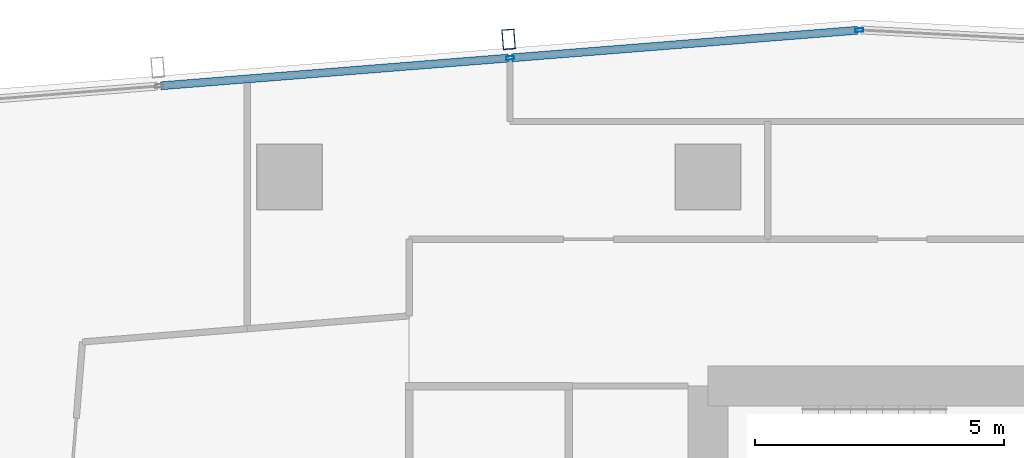
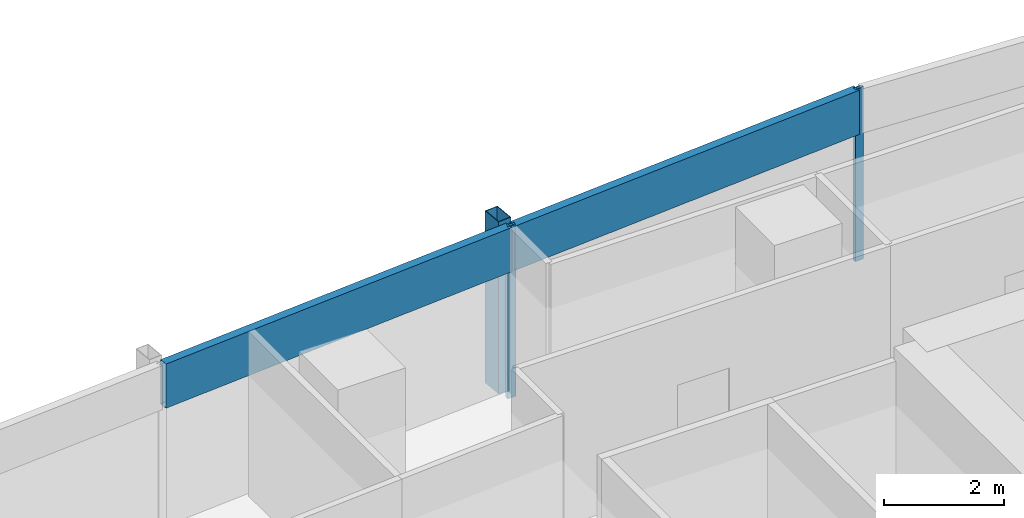
# One storey, part 14 of 28: 5 members, 1 element without a shape of its own.
"""IFC4 building model written with IfcOpenShell, lengths in metres."""

from ifc_helpers import new_model, si_unit, direction, frame, origin, origin_2d, place, context, subcontext, project, spatial, hollow_rectangle, extrude, material, material_profile, profile_set, type_object, element, aggregate, save


model = new_model("IFC4")

# Units and contexts
model_context = context("Model", 3, precision=1e-05, world=origin(), true_north=direction((0.0, 1.0)))
body_context = subcontext(model_context, "Body", "Model", "MODEL_VIEW")
ifc_project = project(units=[si_unit("LENGTHUNIT", "METRE"), si_unit("AREAUNIT", "SQUARE_METRE"), si_unit("VOLUMEUNIT", "CUBIC_METRE"), si_unit("PLANEANGLEUNIT", "RADIAN"), si_unit("MASSUNIT", "GRAM", prefix="KILO")], contexts=[model_context])

# Site, building, storey
site_placement = place(None, origin())
site = spatial("IfcSite", under=ifc_project, at=site_placement, CompositionType="ELEMENT")
building_placement = place(site_placement, origin())
building = spatial("IfcBuilding", under=site, at=building_placement, Name="Rekha Terrace Tower", CompositionType="ELEMENT")
storey_placement = place(building_placement, frame((0.0, 0.0, 268.85009765625)))
storey = spatial("IfcBuildingStorey", under=building, at=storey_placement, Name="L68", CompositionType="ELEMENT", Elevation=268.85009765625)

# Curtain wall, members
ifc_material_1 = material(Name="Aluminium framing", Category="aluminium")
curtain_wall_type = type_object("IfcCurtainWallType", Name="CW3 north unitised glazing", PredefinedType="USERDEFINED", material=ifc_material_1)
curtain_wall_placement = place(storey_placement, origin())
curtain_wall = element("IfcCurtainWall", 1, at=curtain_wall_placement, inside=storey, type_object=curtain_wall_type, Name="CW3 unitised curtain wall", ObjectType="UNITISED CURTAIN WALL", PredefinedType="USERDEFINED")
ifc_material_2 = material(Name="Steel S355 with fluorocarbon finish", Category="steel")
ifc_material_profile_1 = material_profile(ifc_material_2, hollow_rectangle(XDim=0.25, YDim=0.39990234375, WallThickness=0.012451171875, at=origin_2d()), Name="RHS400x250x12.5")
ifc_profile_set_1 = profile_set([ifc_material_profile_1], Name="Steel S355 with fluorocarbon finish")
member_type_1 = type_object("IfcMemberType", Name="BL1 facade blade RHS 400 x 250", PredefinedType="USERDEFINED", material=ifc_profile_set_1)
member_1_placement = place(storey_placement, frame((21.197021484375, 53.16162109375, 0.0), z_axis=(0.0, 0.0, 1.0), x_axis=(-0.996836012392, -0.079485623849, 0.0)))
member_1 = element("IfcMember", 2, at=member_1_placement, type_object=member_type_1, Name="Facade blade", ObjectType="FACADE BLADE", PredefinedType="USERDEFINED", context=body_context, shape_type="SweptSolid", body=[
    extrude(hollow_rectangle(XDim=0.25, YDim=0.39990234375, WallThickness=0.012451171875, at=origin_2d()), origin(), (0.0, 0.0, 1.0), 3.5),
])
ifc_material_3 = material(Name="Aluminium mullion section", Category="aluminium")
ifc_material_profile_2 = material_profile(ifc_material_3, hollow_rectangle(XDim=0.070068359375, YDim=0.159912109375, WallThickness=0.00390625, at=origin_2d()), Name="AL RHS 70x160")
ifc_profile_set_2 = profile_set([ifc_material_profile_2], Name="Aluminium mullion section")
member_type_2 = type_object("IfcMemberType", Name="CW3 mullion RHS 70 x 160", PredefinedType="MULLION", material=ifc_profile_set_2)
member_2_placement = place(storey_placement, frame((28.23779296875, 53.3466796875, 0.0), z_axis=(0.0, 0.0, 1.0), x_axis=(0.07948505154, -0.996836058026, 0.0)))
member_2 = element("IfcMember", 3, at=member_2_placement, type_object=member_type_2, Name="CW3 mullion 1", PredefinedType="MULLION", context=body_context, shape_type="SweptSolid", body=[
    extrude(hollow_rectangle(XDim=0.070068359375, YDim=0.159912109375, WallThickness=0.00390625, at=origin_2d()), origin(), (0.0, 0.0, 1.0), 3.5),
])
member_3_placement = place(storey_placement, frame((21.22705078125, 52.787841796875, 0.0), z_axis=(0.0, 0.0, 1.0), x_axis=(0.07948505154, -0.996836058026, 0.0)))
member_3 = element("IfcMember", 4, at=member_3_placement, type_object=member_type_2, Name="CW3 mullion 2", PredefinedType="MULLION", context=body_context, shape_type="SweptSolid", body=[
    extrude(hollow_rectangle(XDim=0.070068359375, YDim=0.159912109375, WallThickness=0.00390625, at=origin_2d()), origin(), (0.0, 0.0, 1.0), 3.5),
])
ifc_material_4 = material(Name="Insulated aluminium spandrel box", Category="aluminium")
ifc_material_profile_3 = material_profile(ifc_material_4, hollow_rectangle(XDim=0.159912109375, YDim=0.89990234375, WallThickness=0.0029296875, at=origin_2d()), Name="AL SPANDREL BOX 160x900")
ifc_profile_set_3 = profile_set([ifc_material_profile_3], Name="Insulated aluminium spandrel box")
member_type_3 = type_object("IfcMemberType", Name="CW3 spandrel transom 160 x 900", PredefinedType="USERDEFINED", material=ifc_profile_set_3)
member_4_placement = place(storey_placement, frame((28.202880859375, 53.343994140625, 3.0498046875), z_axis=(-0.996836091906, -0.079484626652, 0.0), x_axis=(0.079484626652, -0.996836091906, 0.0)))
member_4 = element("IfcMember", 5, at=member_4_placement, type_object=member_type_3, Name="CW3 spandrel transom 1", ObjectType="TRANSOM", PredefinedType="USERDEFINED", context=body_context, shape_type="SweptSolid", body=[
    extrude(hollow_rectangle(XDim=0.159912109375, YDim=0.89990234375, WallThickness=0.0029296875, at=origin_2d()), origin(), (0.0, 0.0, 1.0), 6.963134765625),
])
member_5_placement = place(storey_placement, frame((21.192138671875, 52.784912109375, 3.0498046875), z_axis=(-0.996837204037, -0.079470677917, 0.0), x_axis=(0.079470677917, -0.996837204037, 0.0)))
member_5 = element("IfcMember", 6, at=member_5_placement, type_object=member_type_3, Name="CW3 spandrel transom 2", ObjectType="TRANSOM", PredefinedType="USERDEFINED", context=body_context, shape_type="SweptSolid", body=[
    extrude(hollow_rectangle(XDim=0.159912109375, YDim=0.89990234375, WallThickness=0.0029296875, at=origin_2d()), origin(), (0.0, 0.0, 1.0), 6.998291015625),
])
aggregate(curtain_wall, [member_2, member_3, member_4, member_5, member_1])

save(model, "model.ifc")
